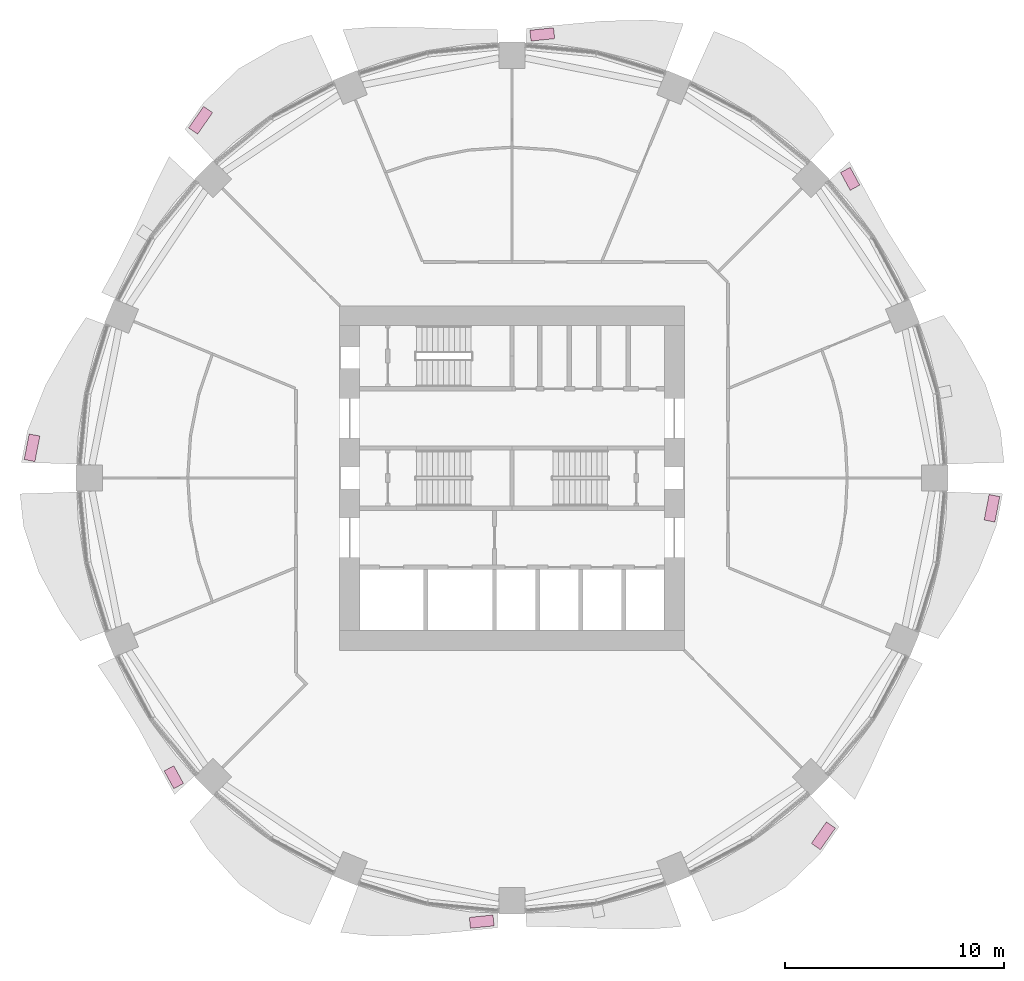
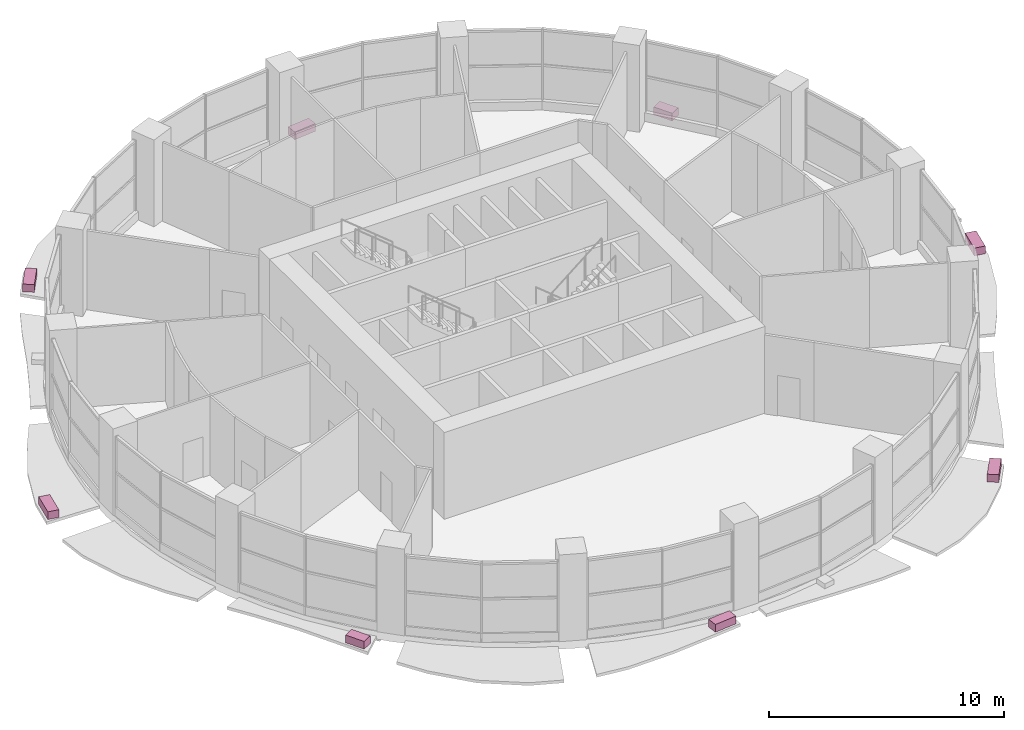
# One storey, part 14 of 14: 8 furniture elements.
"""IFC4 building model written with IfcOpenShell, lengths in metres."""

import ifcopenshell
import ifcopenshell.guid

model = None  # the IFC model being written
_history = None  # IfcOwnerHistory: only IFC2X3 demands one
_inside = {}  # id of a spatial element -> (the spatial element, [elements in it])
_under = {}  # id of a project, library or spatial element -> (it, [spatial elements below it])
_declared = {}  # id of a project -> (the project, [libraries it declares])
_typed = {}  # id of a type object -> (the type object, [elements of that type])
_made_of = {}  # id of a material, layer set ... -> (it, [elements and type objects made of it])


def new_model(schema):
    """Start an empty IFC model of exactly this schema.

    Asked for "IFC4X3", IfcOpenShell would pick the latest addendum, in which some entities
    have other attributes; the version numbers below select the first issue.
    IFC2X3 requires an IfcOwnerHistory on every rooted entity: one is made here for all.
    """
    global model, _history
    if schema == "IFC4X3":
        model = ifcopenshell.file(schema_version=(4, 3, 0, 0))
    else:
        model = ifcopenshell.file(schema=schema)
    _inside.clear()
    _under.clear()
    _declared.clear()
    _typed.clear()
    _made_of.clear()
    _history = None
    if model.schema == "IFC2X3":
        org = make("IfcOrganization", Name="unknown")
        user = make(
            "IfcPersonAndOrganization",
            ThePerson=make("IfcPerson", FamilyName="unknown"),
            TheOrganization=org,
        )
        app = make(
            "IfcApplication",
            ApplicationDeveloper=org,
            Version="unknown",
            ApplicationFullName="unknown",
            ApplicationIdentifier="unknown",
        )
        _history = make(
            "IfcOwnerHistory",
            OwningUser=user,
            OwningApplication=app,
            ChangeAction="ADDED",
            CreationDate=0,
        )
    return model


def make(cls, **values):
    """One entity of the class cls with the attributes given. An attribute that is None is left unset."""
    return model.create_entity(
        cls, **{name: value for name, value in values.items() if value is not None}
    )


def rooted(cls, **values):
    """An entity with a GlobalId (a new one), such as an element, a storey or a relation."""
    return make(cls, GlobalId=ifcopenshell.guid.new(), OwnerHistory=_history, **values)


def si_unit(unit_type, name, prefix=None):
    """IfcSIUnit, for example si_unit("LENGTHUNIT", "METRE", prefix="MILLI")."""
    return make("IfcSIUnit", UnitType=unit_type, Prefix=prefix, Name=name)


def assignment(units):
    """IfcUnitAssignment: the units of a project."""
    return None if units is None else make("IfcUnitAssignment", Units=units)


def point(xyz):
    """IfcCartesianPoint."""
    return None if xyz is None else make("IfcCartesianPoint", Coordinates=xyz)


def direction(xyz):
    """IfcDirection."""
    return None if xyz is None else make("IfcDirection", DirectionRatios=xyz)


def frame(location, z_axis=None, x_axis=None):
    """IfcAxis2Placement3D, a coordinate frame: its origin and axes. An axis left out is left unset."""
    return make(
        "IfcAxis2Placement3D",
        Location=point(location),
        Axis=direction(z_axis),
        RefDirection=direction(x_axis),
    )


def frame_2d(location, x_axis=None):
    """IfcAxis2Placement2D, a coordinate frame in the plane: its origin and x axis."""
    return make(
        "IfcAxis2Placement2D", Location=point(location), RefDirection=direction(x_axis)
    )


def origin():
    """The frame at (0, 0, 0) with its axes left unset."""
    return frame((0.0, 0.0, 0.0))


def origin_2d():
    """The frame at (0, 0) in the plane with its x axis left unset."""
    return frame_2d((0.0, 0.0))


def place(relative_to, where):
    """IfcLocalPlacement: puts the frame where relative to a parent placement (None: the world)."""
    return make(
        "IfcLocalPlacement", PlacementRelTo=relative_to, RelativePlacement=where
    )


def context(
    kind, dimensions, precision=None, world=None, true_north=None, identifier=None
):
    """IfcGeometricRepresentationContext, for example the 3D "Model" context."""
    return make(
        "IfcGeometricRepresentationContext",
        ContextIdentifier=identifier,
        ContextType=kind,
        CoordinateSpaceDimension=dimensions,
        Precision=precision,
        WorldCoordinateSystem=world,
        TrueNorth=true_north,
    )


def subcontext(parent, identifier, kind, view, scale=None):
    """IfcGeometricRepresentationSubContext, for example "Body" below "Model"."""
    return make(
        "IfcGeometricRepresentationSubContext",
        ContextIdentifier=identifier,
        ContextType=kind,
        ParentContext=parent,
        TargetScale=scale,
        TargetView=view,
    )


def project(units=None, contexts=None):
    """IfcProject with its units and contexts."""
    return rooted(
        "IfcProject",
        Name="project",
        RepresentationContexts=contexts,
        UnitsInContext=assignment(units),
    )


def spatial(cls, under=None, at=None, **own):
    """A site, building, storey or space (cls), placed at a placement, below another one or the project."""
    s = rooted(cls, ObjectPlacement=at, **own)
    if under is not None:
        _under.setdefault(under.id(), (under, []))[1].append(s)
    return s


def profile(cls, at=None, kind="AREA", **sizes):
    """A parametric profile (cls). Its sizes go by their IFC names, for example OverallWidth=200.0."""
    return make(cls, ProfileType=kind, Position=at, **sizes)


def rectangle(**sizes):
    """IfcRectangleProfileDef."""
    return profile("IfcRectangleProfileDef", **sizes)


def extrude(swept, where, along, depth):
    """IfcExtrudedAreaSolid: the profile swept, set in the frame where, extruded along a direction by depth."""
    return make(
        "IfcExtrudedAreaSolid",
        SweptArea=swept,
        Position=where,
        ExtrudedDirection=direction(along),
        Depth=depth,
    )


def shape(context_of_items, identifier, shape_type, items):
    """IfcShapeRepresentation: the items that make up one representation, for example the "Body"."""
    return make(
        "IfcShapeRepresentation",
        ContextOfItems=context_of_items,
        RepresentationIdentifier=identifier,
        RepresentationType=shape_type,
        Items=items,
    )


def material(Name=None, Category=None):
    """IfcMaterial."""
    return make("IfcMaterial", Name=Name, Category=Category)


def made_of(thing, what):
    """Note that an element or type object is made of a material, layer set ...; save() writes the relation."""
    if what is not None:
        _made_of.setdefault(what.id(), (what, []))[1].append(thing)
    return thing


def type_object(cls, material=None, **own):
    """A type object (cls), such as IfcWallType, which elements share."""
    return made_of(rooted(cls, **own), material)


def element(
    cls,
    number,
    at=None,
    inside=None,
    cuts=None,
    type_object=None,
    material=None,
    context=None,
    identifier="Body",
    shape_type=None,
    held_by="IfcProductDefinitionShape",
    body=None,
    shapes=None,
    **own,
):
    """One element of the class cls, such as IfcWall. Its Tag is "e" and its number.

    at: its placement. inside: the storey or other place that contains it. cuts: it is an
    opening in that element (IfcRelVoidsElement). A single representation is given by context,
    identifier, shape_type and body (its items); several are given by shapes. held_by: the class
    of the entity that holds the representations. save() writes the other relations.
    """
    e = rooted(cls, Tag="e%d" % number, ObjectPlacement=at, **own)
    if body is not None:
        shapes = [shape(context, identifier, shape_type, body)]
    if shapes is not None:
        e.Representation = make(held_by, Representations=shapes)
    if inside is not None:
        _inside.setdefault(inside.id(), (inside, []))[1].append(e)
    if cuts is not None:
        rooted(
            "IfcRelVoidsElement", RelatingBuildingElement=cuts, RelatedOpeningElement=e
        )
    if type_object is not None:
        _typed.setdefault(type_object.id(), (type_object, []))[1].append(e)
    return made_of(e, material)


def aggregate(whole, parts):
    """IfcRelAggregates: a whole, such as a stair, and the parts it consists of."""
    return rooted("IfcRelAggregates", RelatingObject=whole, RelatedObjects=parts)


def save(model, path):
    """Write the relations noted so far, then the file.

    IfcRelAggregates (storeys below a building ...), IfcRelContainedInSpatialStructure (elements
    in a storey), IfcRelDefinesByType, IfcRelAssociatesMaterial and IfcRelDeclares: one each for
    every whole, place, type object, material and project.
    """
    for whole, parts in _under.values():
        aggregate(whole, parts)
    for where, things in _inside.values():
        rooted(
            "IfcRelContainedInSpatialStructure",
            RelatedElements=things,
            RelatingStructure=where,
        )
    for kind, things in _typed.values():
        rooted("IfcRelDefinesByType", RelatedObjects=things, RelatingType=kind)
    for what, things in _made_of.values():
        rooted("IfcRelAssociatesMaterial", RelatedObjects=things, RelatingMaterial=what)
    for by, libraries in _declared.values():
        rooted("IfcRelDeclares", RelatingContext=by, RelatedDefinitions=libraries)
    model.write(path)


model = new_model("IFC4")

# Units and contexts
model_context = context("Model", 3, precision=1e-05, world=origin(), true_north=direction((0.0, 1.0)))
body_context = subcontext(model_context, "Body", "Model", "MODEL_VIEW")
ifc_project = project(units=[si_unit("LENGTHUNIT", "METRE"), si_unit("AREAUNIT", "SQUARE_METRE"), si_unit("VOLUMEUNIT", "CUBIC_METRE"), si_unit("PLANEANGLEUNIT", "RADIAN"), si_unit("MASSUNIT", "GRAM", prefix="KILO")], contexts=[model_context])

# Site, building, storey
site_placement = place(None, origin())
site = spatial("IfcSite", under=ifc_project, at=site_placement, CompositionType="ELEMENT")
building_placement = place(site_placement, origin())
building = spatial("IfcBuilding", under=site, at=building_placement, Name="Polderwave Tower", CompositionType="ELEMENT")
storey_placement = place(building_placement, frame((0.0, 0.0, 9.89990234375)))
storey = spatial("IfcBuildingStorey", under=building, at=storey_placement, Name="L02", CompositionType="ELEMENT", Elevation=9.89990234375)

# Furniture
ifc_material = material(Name="Terracotta", Category="masonry")
furniture_type = type_object("IfcFurnitureType", Name="Terracotta planting trough", AssemblyPlace="NOTDEFINED", PredefinedType="USERDEFINED", material=ifc_material)
furniture_1_placement = place(storey_placement, frame((15.45654296875, 13.673583984375, -0.249755859375), z_axis=(0.0, 0.0, 1.0), x_axis=(-0.478149307852, 0.878278565946, 0.0)))
element("IfcFurniture", 1, at=furniture_1_placement, inside=storey, type_object=furniture_type, Name="Planting trough L02 2", ObjectType="PLANTER", PredefinedType="USERDEFINED", context=body_context, shape_type="SweptSolid", body=[
    extrude(rectangle(XDim=0.922607421875, YDim=0.5, at=origin_2d()), origin(), (0.0, 0.0, 1.0), 0.39990234375),
])
furniture_2_placement = place(storey_placement, frame((1.3837890625, 20.27490234375, -0.249755859375), z_axis=(0.0, 0.0, 1.0), x_axis=(-0.994841832657, -0.101438296493, 0.0)))
element("IfcFurniture", 2, at=furniture_2_placement, inside=storey, type_object=furniture_type, Name="Planting trough L02 4", ObjectType="PLANTER", PredefinedType="USERDEFINED", context=body_context, shape_type="SweptSolid", body=[
    extrude(rectangle(XDim=1.08642578125, YDim=0.5, at=origin_2d()), origin(), (0.0, 0.0, 1.0), 0.39990234375),
])
furniture_3_placement = place(storey_placement, frame((-14.231689453125, 16.3515625, -0.249755859375), z_axis=(0.0, 0.0, 1.0), x_axis=(-0.574016697984, -0.81884359339, 0.0)))
element("IfcFurniture", 3, at=furniture_3_placement, inside=storey, type_object=furniture_type, Name="Planting trough L02 6", ObjectType="PLANTER", PredefinedType="USERDEFINED", context=body_context, shape_type="SweptSolid", body=[
    extrude(rectangle(XDim=1.19921875, YDim=0.5, at=origin_2d()), origin(), (0.0, 0.0, 1.0), 0.39990234375),
])
furniture_4_placement = place(storey_placement, frame((-21.9375, 1.383056640625, -0.249755859375), z_axis=(0.0, 0.0, 1.0), x_axis=(-0.190464617852, -0.981694060971, 0.0)))
element("IfcFurniture", 4, at=furniture_4_placement, inside=storey, type_object=furniture_type, Name="Planting trough L02 8", ObjectType="PLANTER", PredefinedType="USERDEFINED", context=body_context, shape_type="SweptSolid", body=[
    extrude(rectangle(XDim=1.189208984375, YDim=0.5, at=origin_2d()), origin(), (0.0, 0.0, 1.0), 0.39990234375),
])
furniture_5_placement = place(storey_placement, frame((-15.45654296875, -13.673583984375, -0.249755859375), z_axis=(0.0, 0.0, 1.0), x_axis=(0.478149307852, -0.878278565946, 0.0)))
element("IfcFurniture", 5, at=furniture_5_placement, inside=storey, type_object=furniture_type, Name="Planting trough L02 10", ObjectType="PLANTER", PredefinedType="USERDEFINED", context=body_context, shape_type="SweptSolid", body=[
    extrude(rectangle(XDim=0.922607421875, YDim=0.5, at=origin_2d()), origin(), (0.0, 0.0, 1.0), 0.39990234375),
])
furniture_6_placement = place(storey_placement, frame((-1.3837890625, -20.27490234375, -0.249755859375), z_axis=(0.0, 0.0, 1.0), x_axis=(0.994841832657, 0.101438296493, 0.0)))
element("IfcFurniture", 6, at=furniture_6_placement, inside=storey, type_object=furniture_type, Name="Planting trough L02 12", ObjectType="PLANTER", PredefinedType="USERDEFINED", context=body_context, shape_type="SweptSolid", body=[
    extrude(rectangle(XDim=1.08642578125, YDim=0.5, at=origin_2d()), origin(), (0.0, 0.0, 1.0), 0.39990234375),
])
furniture_7_placement = place(storey_placement, frame((14.231689453125, -16.3515625, -0.249755859375), z_axis=(0.0, 0.0, 1.0), x_axis=(0.574016697984, 0.81884359339, 0.0)))
element("IfcFurniture", 7, at=furniture_7_placement, inside=storey, type_object=furniture_type, Name="Planting trough L02 14", ObjectType="PLANTER", PredefinedType="USERDEFINED", context=body_context, shape_type="SweptSolid", body=[
    extrude(rectangle(XDim=1.19921875, YDim=0.5, at=origin_2d()), origin(), (0.0, 0.0, 1.0), 0.39990234375),
])
furniture_8_placement = place(storey_placement, frame((21.9375, -1.383056640625, -0.249755859375), z_axis=(0.0, 0.0, 1.0), x_axis=(0.190464617852, 0.981694060971, 0.0)))
element("IfcFurniture", 8, at=furniture_8_placement, inside=storey, type_object=furniture_type, Name="Planting trough L02 16", ObjectType="PLANTER", PredefinedType="USERDEFINED", context=body_context, shape_type="SweptSolid", body=[
    extrude(rectangle(XDim=1.189208984375, YDim=0.5, at=origin_2d()), origin(), (0.0, 0.0, 1.0), 0.39990234375),
])

save(model, "model.ifc")
